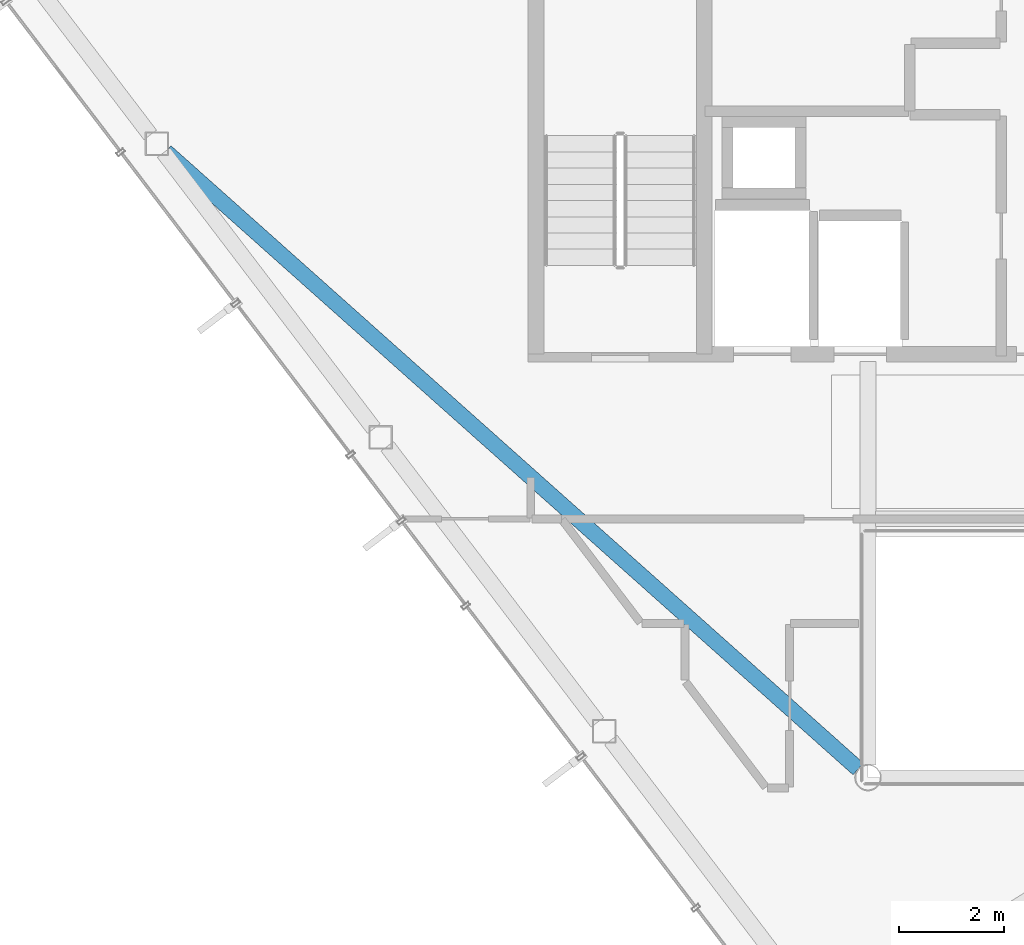
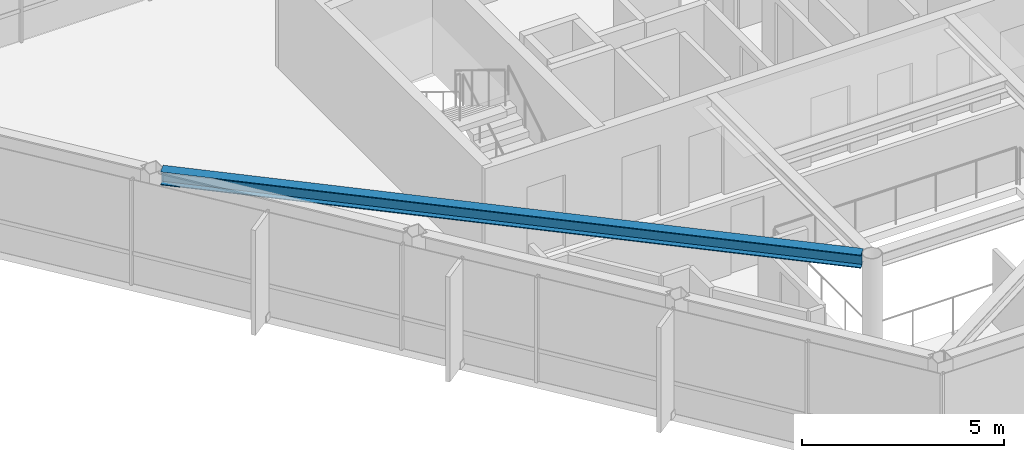
# One storey, part 4 of 23: 1 beam.
"""IFC4 building model written with IfcOpenShell, lengths in metres."""

from ifc_helpers import new_model, si_unit, direction, frame, origin, origin_2d, place, context, subcontext, project, spatial, i_section, extrude, material, material_profile, profile_set, type_object, element, save


model = new_model("IFC4")

# Units and contexts
model_context = context("Model", 3, precision=1e-05, world=origin(), true_north=direction((0.0, 1.0)))
body_context = subcontext(model_context, "Body", "Model", "MODEL_VIEW")
ifc_project = project(units=[si_unit("LENGTHUNIT", "METRE"), si_unit("AREAUNIT", "SQUARE_METRE"), si_unit("VOLUMEUNIT", "CUBIC_METRE"), si_unit("PLANEANGLEUNIT", "RADIAN"), si_unit("MASSUNIT", "GRAM", prefix="KILO")], contexts=[model_context])

# Site, building, storey
site_placement = place(None, origin())
site = spatial("IfcSite", under=ifc_project, at=site_placement, CompositionType="ELEMENT")
building_placement = place(site_placement, origin())
building = spatial("IfcBuilding", under=site, at=building_placement, Name="Zarrinselat Tower", CompositionType="ELEMENT")
storey_placement = place(building_placement, frame((0.0, 0.0, 282.199951171875)))
storey = spatial("IfcBuildingStorey", under=building, at=storey_placement, Name="L72", CompositionType="ELEMENT", Elevation=282.199951171875)

# Beam
ifc_material = material(Name="Steel S355J2", Category="steel")
ifc_material_profile = material_profile(ifc_material, i_section(OverallWidth=0.300048828125, OverallDepth=0.39990234375, WebThickness=0.013427734375, FlangeThickness=0.02392578125, at=origin_2d()), Name="HEB 400")
ifc_profile_set = profile_set([ifc_material_profile], Name="Steel S355J2")
beam_type = type_object("IfcBeamType", Name="BM-HEB400", PredefinedType="BEAM", material=ifc_profile_set)
beam_placement = place(storey_placement, frame((21.56689453125, 37.175537109375, 2.97998046875), z_axis=(0.746447608011, -0.665444188866, 0.0), x_axis=(0.665444188866, 0.746447608011, 0.0)))
element("IfcBeam", 1, at=beam_placement, inside=storey, type_object=beam_type, Name="L72 Radial Primary Girder RG07", PredefinedType="BEAM", context=body_context, shape_type="SweptSolid", body=[
    extrude(i_section(OverallWidth=0.300048828125, OverallDepth=0.39990234375, WebThickness=0.013427734375, FlangeThickness=0.02392578125, at=origin_2d()), origin(), (0.0, 0.0, 1.0), 17.74609375),
])

save(model, "model.ifc")
